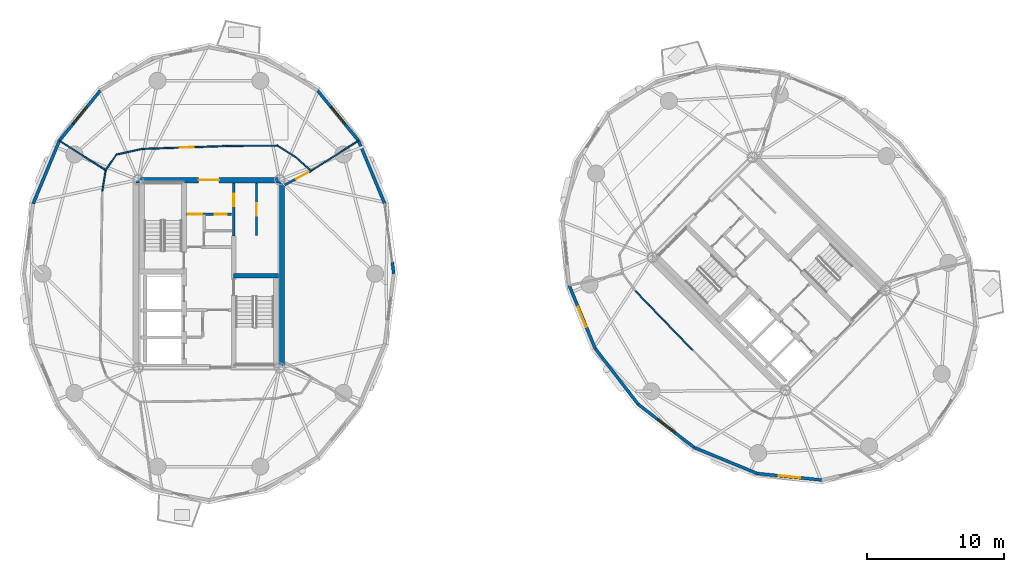
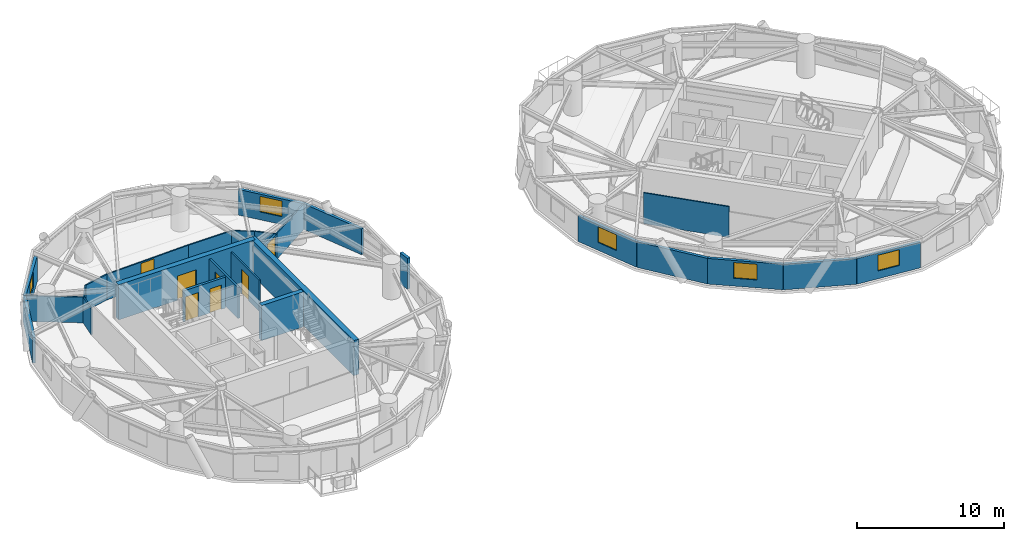
# One storey, part 9 of 15: 27 walls, 7 doors, 5 windows, 12 openings.
"""IFC4 building model written with IfcOpenShell, lengths in metres."""

from ifc_helpers import new_model, si_unit, direction, frame, frame_2d, origin, place, context, subcontext, project, spatial, rectangle, extrude, source, transform, mapped, material, layer, layer_set, type_object, element, fill, save


model = new_model("IFC4")

# Units and contexts
model_context = context("Model", 3, precision=1e-05, world=origin(), true_north=direction((0.0, 1.0)))
body_context = subcontext(model_context, "Body", "Model", "MODEL_VIEW")
ifc_project = project(units=[si_unit("LENGTHUNIT", "METRE"), si_unit("AREAUNIT", "SQUARE_METRE"), si_unit("VOLUMEUNIT", "CUBIC_METRE"), si_unit("PLANEANGLEUNIT", "RADIAN"), si_unit("MASSUNIT", "GRAM", prefix="KILO")], contexts=[model_context])

# Site, building, storey
site_placement = place(None, origin())
site = spatial("IfcSite", under=ifc_project, at=site_placement, CompositionType="ELEMENT")
building_placement = place(site_placement, origin())
building = spatial("IfcBuilding", under=site, at=building_placement, Name="Cununo Teusaquillo Station Towers", CompositionType="ELEMENT")
storey_placement = place(building_placement, frame((0.0, 0.0, 189.429931640625)))
storey = spatial("IfcBuildingStorey", under=building, at=storey_placement, Name="L60", CompositionType="ELEMENT", Elevation=189.429931640625)

# Walls
ifc_material_1 = material(Name="Concrete C50/60", Category="concrete")
ifc_layer_1 = layer(ifc_material_1, 0.35009765625)
ifc_layer_set_1 = layer_set([ifc_layer_1], Name="Concrete C50/60")
wall_type_1 = type_object("IfcWallType", Name="WL-CORE-350", PredefinedType="SHEAR", material=ifc_layer_set_1)
wall_1_placement = place(storey_placement, frame((18.31494140625, 24.344970703125, 0.0), z_axis=(0.0, 0.0, 1.0), x_axis=(1.0, 0.0, 0.0)))
element("IfcWall", 1, at=wall_1_placement, inside=storey, type_object=wall_type_1, Name="L60 Tower A Core Shear Wall ST2N", PredefinedType="SHEAR", context=body_context, shape_type="SweptSolid", body=[
    extrude(rectangle(XDim=3.28515625, YDim=0.35009765625, at=frame_2d((1.642578125, 0.0))), origin(), (0.0, 0.0, 1.0), 2.91015625),
])
ifc_material_2 = material(Name="Concrete C50/60", Category="concrete")
ifc_layer_2 = layer(ifc_material_2, 0.39990234375)
ifc_layer_set_2 = layer_set([ifc_layer_2], Name="Concrete C50/60")
wall_type_2 = type_object("IfcWallType", Name="WL-CORE-400", PredefinedType="SHEAR", material=ifc_layer_set_2)
wall_2_placement = place(storey_placement, frame((21.85009765625, 17.449951171875, 0.0), z_axis=(0.0, 0.0, 1.0), x_axis=(0.0, 1.0, 0.0)))
element("IfcWall", 2, at=wall_2_placement, inside=storey, type_object=wall_type_2, Name="L60 Tower A Core Shear Wall E", PredefinedType="SHEAR", context=body_context, shape_type="SweptSolid", body=[
    extrude(rectangle(XDim=14.10009765625, YDim=0.39990234375, at=frame_2d((7.050048828125, 0.0))), origin(), (0.0, 0.0, 1.0), 2.91015625),
])

# Wall, opening, door
wall_3_placement = place(storey_placement, frame((11.14990234375, 31.35009765625, 0.0), z_axis=(0.0, 0.0, 1.0), x_axis=(1.0, 0.0, 0.0)))
wall_3 = element("IfcWall", 3, at=wall_3_placement, inside=storey, type_object=wall_type_2, Name="L60 Tower A Core Shear Wall N", PredefinedType="SHEAR", context=body_context, shape_type="SweptSolid", body=[
    extrude(rectangle(XDim=10.7001953125, YDim=0.39990234375, at=frame_2d((5.35009765625, 0.0))), origin(), (0.0, 0.0, 1.0), 2.91015625),
])
shared_shape_1 = source(origin(), body_context, "Body", "SweptSolid", [
    extrude(rectangle(XDim=1.5, YDim=2.02001953125, at=frame_2d((0.75, 1.010009765625))), frame((0.0, 0.2099609375, 0.0), z_axis=(0.0, -1.0, 0.0), x_axis=(1.0, 0.0, 0.0)), (0.0, 0.0, 1.0), 0.419921875),
])
opening_1_placement = place(wall_3_placement, frame((4.60009765625, 0.0, 0.0)))
opening_1 = element("IfcOpeningElement", 4, at=opening_1_placement, cuts=wall_3, Name="Opening D-LB1", PredefinedType="OPENING", context=body_context, shape_type="MappedRepresentation", body=[
    mapped(shared_shape_1, transform((0.0, 0.0, 0.0), x_axis=(1.0, 0.0, 0.0), y_axis=(0.0, 1.0, 0.0), z_axis=(0.0, 0.0, 1.0), scale=1.0)),
])
ifc_material_3 = material(Name="Galvanised fire-rated hollow steel door assembly", Category="steel")
door_type_1 = type_object("IfcDoorType", Name="DR-LOBBY-1500", OperationType="DOUBLE_DOOR_SINGLE_SWING", PredefinedType="DOOR", material=ifc_material_3)
shared_shape_2 = source(origin(), body_context, "Body", "SweptSolid", [
    extrude(rectangle(XDim=1.5, YDim=2.02001953125, at=frame_2d((0.75, 1.010009765625))), frame((0.0, 0.02490234375, 0.0), z_axis=(0.0, -1.0, 0.0), x_axis=(1.0, 0.0, 0.0)), (0.0, 0.0, 1.0), 0.050048828125),
])
door_1_placement = place(opening_1_placement, origin())
door_1 = element("IfcDoor", 5, at=door_1_placement, inside=storey, type_object=door_type_1, Name="L60 Tower A North Core Lift Lobby Door", OperationType="DOUBLE_DOOR_SINGLE_SWING", OverallHeight=2.02001953125, OverallWidth=1.5, PredefinedType="DOOR", context=body_context, shape_type="MappedRepresentation", body=[
    mapped(shared_shape_2, transform((0.0, 0.0, 0.0), x_axis=(1.0, 0.0, 0.0), y_axis=(0.0, 1.0, 0.0), z_axis=(0.0, 0.0, 1.0), scale=1.0)),
])
fill(opening_1, door_1)

# Walls
ifc_material_4 = material(Name="Precast concrete C40/50", Category="concrete")
ifc_layer_3 = layer(ifc_material_4, 0.219970703125)
ifc_layer_set_3 = layer_set([ifc_layer_3], Name="Precast concrete C40/50")
wall_type_3 = type_object("IfcWallType", Name="WL-EXT-220", PredefinedType="SOLIDWALL", material=ifc_layer_set_3)
wall_4_placement = place(storey_placement, frame((29.91943359375, 25.36279296875, 0.0), z_axis=(0.0, 0.0, 1.0), x_axis=(0.128247365719, -0.991742211054, 0.0)))
element("IfcWall", 6, at=wall_4_placement, inside=storey, type_object=wall_type_3, Name="L60 Tower A Column Pier Cladding Wall C00-PB", PredefinedType="SOLIDWALL", context=body_context, shape_type="SweptSolid", body=[
    extrude(rectangle(XDim=0.869873046875, YDim=0.219970703125, at=frame_2d((0.43505859375, 0.0))), origin(), (0.0, 0.0, 1.0), 2.55517578125),
])
wall_5_placement = place(storey_placement, frame((27.44677734375, 34.239501953125, 0.0), z_axis=(0.0, 0.0, 1.0), x_axis=(0.384144094086, -0.923273152961, 0.0)))
element("IfcWall", 7, at=wall_5_placement, inside=storey, type_object=wall_type_3, Name="L60 Tower A Exterior Facade Wall C01", PredefinedType="SOLIDWALL", context=body_context, shape_type="SweptSolid", body=[
    extrude(rectangle(XDim=5.0029296875, YDim=0.219970703125, at=frame_2d((2.50146484375, 0.0))), origin(), (0.0, 0.0, 1.0), 2.125),
])

# Wall, opening, window
wall_6_placement = place(storey_placement, frame((24.453369140625, 37.905517578125, 0.0), z_axis=(0.0, 0.0, 1.0), x_axis=(0.632470615287, -0.774584353572, 0.0)))
wall_6 = element("IfcWall", 8, at=wall_6_placement, inside=storey, type_object=wall_type_3, Name="L60 Tower A Exterior Facade Wall C02", PredefinedType="SOLIDWALL", context=body_context, shape_type="SweptSolid", body=[
    extrude(rectangle(XDim=4.73291015625, YDim=0.219970703125, at=frame_2d((2.366455078125, 0.0))), origin(), (0.0, 0.0, 1.0), 2.125),
])
shared_shape_3 = source(origin(), body_context, "Body", "SweptSolid", [
    extrude(rectangle(XDim=1.60009765625, YDim=1.300048828125, at=frame_2d((0.800048828125, 0.64990234375))), frame((0.0, 0.119873046875, 0.0), z_axis=(0.0, -1.0, 0.0), x_axis=(1.0, 0.0, 0.0)), (0.0, 0.0, 1.0), 0.239990234375),
])
opening_2_placement = place(wall_6_placement, frame((1.56591796875, 0.0, 0.64990234375)))
opening_2 = element("IfcOpeningElement", 9, at=opening_2_placement, cuts=wall_6, Name="Opening WN-03", PredefinedType="OPENING", context=body_context, shape_type="MappedRepresentation", body=[
    mapped(shared_shape_3, transform((0.0, 0.0, 0.0), x_axis=(1.0, 0.0, 0.0), y_axis=(0.0, 1.0, 0.0), z_axis=(0.0, 0.0, 1.0), scale=1.0)),
])
ifc_material_5 = material(Name="Ceramic-fritted dark low-E double glazing", Category="glass")
window_type = type_object("IfcWindowType", Name="WIN-CORN-1600", PartitioningType="SINGLE_PANEL", PredefinedType="WINDOW", material=ifc_material_5)
shared_shape_4 = source(origin(), body_context, "Body", "SweptSolid", [
    extrude(rectangle(XDim=1.60009765625, YDim=1.300048828125, at=frame_2d((0.800048828125, 0.64990234375))), frame((0.0, 0.030029296875, 0.0), z_axis=(0.0, -1.0, 0.0), x_axis=(1.0, 0.0, 0.0)), (0.0, 0.0, 1.0), 0.06005859375),
])
window_1_placement = place(opening_2_placement, origin())
window_1 = element("IfcWindow", 10, at=window_1_placement, inside=storey, type_object=window_type, Name="L60 Tower A Facade Window C02", OverallHeight=1.300048828125, OverallWidth=1.60009765625, PartitioningType="SINGLE_PANEL", PredefinedType="WINDOW", context=body_context, shape_type="MappedRepresentation", body=[
    mapped(shared_shape_4, transform((0.0, 0.0, 0.0), x_axis=(1.0, 0.0, 0.0), y_axis=(0.0, 1.0, 0.0), z_axis=(0.0, 0.0, 1.0), scale=1.0)),
])
fill(opening_2, window_1)

wall_7_placement = place(storey_placement, frame((5.55322265625, 34.239501953125, 0.0), z_axis=(0.0, 0.0, 1.0), x_axis=(0.632470615287, 0.774584353572, 0.0)))
wall_7 = element("IfcWall", 11, at=wall_7_placement, inside=storey, type_object=wall_type_3, Name="L60 Tower A Exterior Facade Wall C07", PredefinedType="SOLIDWALL", context=body_context, shape_type="SweptSolid", body=[
    extrude(rectangle(XDim=4.73291015625, YDim=0.219970703125, at=frame_2d((2.366455078125, 0.0))), origin(), (0.0, 0.0, 1.0), 2.125),
])
opening_3_placement = place(wall_7_placement, frame((1.56591796875, 0.0, 0.64990234375)))
opening_3 = element("IfcOpeningElement", 12, at=opening_3_placement, cuts=wall_7, Name="Opening WN-03", PredefinedType="OPENING", context=body_context, shape_type="MappedRepresentation", body=[
    mapped(shared_shape_3, transform((0.0, 0.0, 0.0), x_axis=(1.0, 0.0, 0.0), y_axis=(0.0, 1.0, 0.0), z_axis=(0.0, 0.0, 1.0), scale=1.0)),
])
window_2_placement = place(opening_3_placement, origin())
window_2 = element("IfcWindow", 13, at=window_2_placement, inside=storey, type_object=window_type, Name="L60 Tower A Facade Window C07", OverallHeight=1.300048828125, OverallWidth=1.60009765625, PartitioningType="SINGLE_PANEL", PredefinedType="WINDOW", context=body_context, shape_type="MappedRepresentation", body=[
    mapped(shared_shape_4, transform((0.0, 0.0, 0.0), x_axis=(1.0, 0.0, 0.0), y_axis=(0.0, 1.0, 0.0), z_axis=(0.0, 0.0, 1.0), scale=1.0)),
])
fill(opening_3, window_2)

# Wall
wall_8_placement = place(storey_placement, frame((3.63134765625, 29.620361328125, 0.0), z_axis=(0.0, 0.0, 1.0), x_axis=(0.384144094086, 0.923273152961, 0.0)))
element("IfcWall", 14, at=wall_8_placement, inside=storey, type_object=wall_type_3, Name="L60 Tower A Exterior Facade Wall C08", PredefinedType="SOLIDWALL", context=body_context, shape_type="SweptSolid", body=[
    extrude(rectangle(XDim=5.0029296875, YDim=0.219970703125, at=frame_2d((2.50146484375, 0.0))), origin(), (0.0, 0.0, 1.0), 2.125),
])

# Wall, opening, window
wall_9_placement = place(storey_placement, frame((44.77978515625, 19.02099609375, 0.0), z_axis=(0.0, 0.0, 1.0), x_axis=(-0.381196434348, 0.924494066201, 0.0)))
wall_9 = element("IfcWall", 15, at=wall_9_placement, inside=storey, type_object=wall_type_3, Name="L60 Tower B Exterior Facade Wall C08", PredefinedType="SOLIDWALL", context=body_context, shape_type="SweptSolid", body=[
    extrude(rectangle(XDim=5.003173828125, YDim=0.219970703125, at=frame_2d((2.50146484375, 0.0))), origin(), (0.0, 0.0, 1.0), 2.125),
])
opening_4_placement = place(wall_9_placement, frame((1.701904296875, 0.0, 0.64990234375)))
opening_4 = element("IfcOpeningElement", 16, at=opening_4_placement, cuts=wall_9, Name="Opening WN-03", PredefinedType="OPENING", context=body_context, shape_type="MappedRepresentation", body=[
    mapped(shared_shape_3, transform((0.0, 0.0, 0.0), x_axis=(1.0, 0.0, 0.0), y_axis=(0.0, 1.0, 0.0), z_axis=(0.0, 0.0, 1.0), scale=1.0)),
])
window_3_placement = place(opening_4_placement, origin())
window_3 = element("IfcWindow", 17, at=window_3_placement, inside=storey, type_object=window_type, Name="L60 Tower B Facade Window C08", OverallHeight=1.300048828125, OverallWidth=1.60009765625, PartitioningType="SINGLE_PANEL", PredefinedType="WINDOW", context=body_context, shape_type="MappedRepresentation", body=[
    mapped(shared_shape_4, transform((0.0, 0.0, 0.0), x_axis=(1.0, 0.0, 0.0), y_axis=(0.0, 1.0, 0.0), z_axis=(0.0, 0.0, 1.0), scale=1.0)),
])
fill(opening_4, window_3)

# Wall
wall_10_placement = place(storey_placement, frame((47.93212890625, 14.93212890625, 0.0), z_axis=(0.0, 0.0, 1.0), x_axis=(-0.610569654715, 0.791962560189, 0.0)))
element("IfcWall", 18, at=wall_10_placement, inside=storey, type_object=wall_type_3, Name="L60 Tower B Exterior Facade Wall C09", PredefinedType="SOLIDWALL", context=body_context, shape_type="SweptSolid", body=[
    extrude(rectangle(XDim=5.162841796875, YDim=0.219970703125, at=frame_2d((2.58154296875, 0.0))), origin(), (0.0, 0.0, 1.0), 2.125),
])

# Wall, opening, window
wall_11_placement = place(storey_placement, frame((52.02099609375, 11.77978515625, 0.0), z_axis=(0.0, 0.0, 1.0), x_axis=(-0.791962560189, 0.610569654715, 0.0)))
wall_11 = element("IfcWall", 19, at=wall_11_placement, inside=storey, type_object=wall_type_3, Name="L60 Tower B Exterior Facade Wall C10", PredefinedType="SOLIDWALL", context=body_context, shape_type="SweptSolid", body=[
    extrude(rectangle(XDim=5.162841796875, YDim=0.219970703125, at=frame_2d((2.58154296875, 0.0))), origin(), (0.0, 0.0, 1.0), 2.125),
])
opening_5_placement = place(wall_11_placement, frame((1.781982421875, 0.0, 0.64990234375)))
opening_5 = element("IfcOpeningElement", 20, at=opening_5_placement, cuts=wall_11, Name="Opening WN-03", PredefinedType="OPENING", context=body_context, shape_type="MappedRepresentation", body=[
    mapped(shared_shape_3, transform((0.0, 0.0, 0.0), x_axis=(1.0, 0.0, 0.0), y_axis=(0.0, 1.0, 0.0), z_axis=(0.0, 0.0, 1.0), scale=1.0)),
])
window_4_placement = place(opening_5_placement, origin())
window_4 = element("IfcWindow", 21, at=window_4_placement, inside=storey, type_object=window_type, Name="L60 Tower B Facade Window C10", OverallHeight=1.300048828125, OverallWidth=1.60009765625, PartitioningType="SINGLE_PANEL", PredefinedType="WINDOW", context=body_context, shape_type="MappedRepresentation", body=[
    mapped(shared_shape_4, transform((0.0, 0.0, 0.0), x_axis=(1.0, 0.0, 0.0), y_axis=(0.0, 1.0, 0.0), z_axis=(0.0, 0.0, 1.0), scale=1.0)),
])
fill(opening_5, window_4)

# Wall
wall_12_placement = place(storey_placement, frame((56.646484375, 9.87255859375, 0.0), z_axis=(0.0, 0.0, 1.0), x_axis=(-0.924494066201, 0.381196434348, 0.0)))
element("IfcWall", 22, at=wall_12_placement, inside=storey, type_object=wall_type_3, Name="L60 Tower B Exterior Facade Wall C11", PredefinedType="SOLIDWALL", context=body_context, shape_type="SweptSolid", body=[
    extrude(rectangle(XDim=5.003173828125, YDim=0.219970703125, at=frame_2d((2.50146484375, 0.0))), origin(), (0.0, 0.0, 1.0), 2.125),
])

# Wall, opening, window
wall_13_placement = place(storey_placement, frame((61.355224609375, 9.397216796875, 0.0), z_axis=(0.0, 0.0, 1.0), x_axis=(-0.994943283129, 0.100438356004, 0.0)))
wall_13 = element("IfcWall", 23, at=wall_13_placement, inside=storey, type_object=wall_type_3, Name="L60 Tower B Exterior Facade Wall C12", PredefinedType="SOLIDWALL", context=body_context, shape_type="SweptSolid", body=[
    extrude(rectangle(XDim=4.732666015625, YDim=0.219970703125, at=frame_2d((2.3662109375, 0.0))), origin(), (0.0, 0.0, 1.0), 2.125),
])
opening_6_placement = place(wall_13_placement, frame((1.56591796875, 0.0, 0.64990234375)))
opening_6 = element("IfcOpeningElement", 24, at=opening_6_placement, cuts=wall_13, Name="Opening WN-03", PredefinedType="OPENING", context=body_context, shape_type="MappedRepresentation", body=[
    mapped(shared_shape_3, transform((0.0, 0.0, 0.0), x_axis=(1.0, 0.0, 0.0), y_axis=(0.0, 1.0, 0.0), z_axis=(0.0, 0.0, 1.0), scale=1.0)),
])
window_5_placement = place(opening_6_placement, origin())
window_5 = element("IfcWindow", 25, at=window_5_placement, inside=storey, type_object=window_type, Name="L60 Tower B Facade Window C12", OverallHeight=1.300048828125, OverallWidth=1.60009765625, PartitioningType="SINGLE_PANEL", PredefinedType="WINDOW", context=body_context, shape_type="MappedRepresentation", body=[
    mapped(shared_shape_4, transform((0.0, 0.0, 0.0), x_axis=(1.0, 0.0, 0.0), y_axis=(0.0, 1.0, 0.0), z_axis=(0.0, 0.0, 1.0), scale=1.0)),
])
fill(opening_6, window_5)

# Walls
ifc_material_6 = material(Name="Fire-rated gypsum plasterboard partition assembly", Category="gypsum")
ifc_layer_4 = layer(ifc_material_6, 0.10009765625)
ifc_layer_set_4 = layer_set([ifc_layer_4], Name="Fire-rated gypsum plasterboard partition assembly")
wall_type_4 = type_object("IfcWallType", Name="WL-PART-100", PredefinedType="MOVABLE", material=ifc_layer_set_4)
wall_14_placement = place(storey_placement, frame((23.979736328125, 32.02685546875, 0.0), z_axis=(0.0, 0.0, 1.0), x_axis=(-0.742353224332, 0.670008724065, 0.0)))
element("IfcWall", 26, at=wall_14_placement, inside=storey, type_object=wall_type_4, Name="L60 Tower A Corridor Ring Wall C02", PredefinedType="MOVABLE", context=body_context, shape_type="SweptSolid", body=[
    extrude(rectangle(XDim=1.48486328125, YDim=0.10009765625, at=frame_2d((0.742431640625, 0.0))), origin(), (0.0, 0.0, 1.0), 2.125),
])
wall_15_placement = place(storey_placement, frame((22.87744140625, 33.021728515625, 0.0), z_axis=(0.0, 0.0, 1.0), x_axis=(-0.845895608855, 0.533348496689, 0.0)))
element("IfcWall", 27, at=wall_15_placement, inside=storey, type_object=wall_type_4, Name="L60 Tower A Corridor Ring Wall C03", PredefinedType="MOVABLE", context=body_context, shape_type="SweptSolid", body=[
    extrude(rectangle(XDim=1.5966796875, YDim=0.10009765625, at=frame_2d((0.79833984375, 0.0))), origin(), (0.0, 0.0, 1.0), 2.125),
])
wall_16_placement = place(storey_placement, frame((21.52685546875, 33.873291015625, 0.0), z_axis=(0.0, 0.0, 1.0), x_axis=(-0.999991838845, -0.004040079574, 0.0)))
element("IfcWall", 28, at=wall_16_placement, inside=storey, type_object=wall_type_4, Name="L60 Tower A Corridor Ring Wall C04", PredefinedType="MOVABLE", context=body_context, shape_type="SweptSolid", body=[
    extrude(rectangle(XDim=3.384033203125, YDim=0.10009765625, at=frame_2d((1.69189453125, 0.0))), origin(), (0.0, 0.0, 1.0), 2.125),
])

# Wall, opening, door
wall_17_placement = place(storey_placement, frame((18.142822265625, 33.859619140625, 0.0), z_axis=(0.0, 0.0, 1.0), x_axis=(-0.999419208319, -0.034077060363, 0.0)))
wall_17 = element("IfcWall", 29, at=wall_17_placement, inside=storey, type_object=wall_type_4, Name="L60 Tower A Corridor Ring Wall C05", PredefinedType="MOVABLE", context=body_context, shape_type="SweptSolid", body=[
    extrude(rectangle(XDim=6.52685546875, YDim=0.10009765625, at=frame_2d((3.263427734375, 0.0))), origin(), (0.0, 0.0, 1.0), 2.125),
])
shared_shape_5 = source(origin(), body_context, "Body", "SweptSolid", [
    extrude(rectangle(XDim=1.050048828125, YDim=2.014892578125, at=frame_2d((0.52490234375, 1.00732421875))), frame((0.0, 0.06005859375, 0.0), z_axis=(0.0, -1.0, 0.0), x_axis=(1.0, 0.0, 0.0)), (0.0, 0.0, 1.0), 0.1201171875),
])
opening_7_placement = place(wall_17_placement, frame((2.73828125, 0.0, 0.0)))
opening_7 = element("IfcOpeningElement", 30, at=opening_7_placement, cuts=wall_17, Name="Opening D-SU1", PredefinedType="OPENING", context=body_context, shape_type="MappedRepresentation", body=[
    mapped(shared_shape_5, transform((0.0, 0.0, 0.0), x_axis=(1.0, 0.0, 0.0), y_axis=(0.0, 1.0, 0.0), z_axis=(0.0, 0.0, 1.0), scale=1.0)),
])
ifc_material_7 = material(Name="Acoustic solid-core hardwood leaf assembly", Category="wood")
door_type_2 = type_object("IfcDoorType", Name="DR-SUITE-1050", OperationType="NOTDEFINED", PredefinedType="DOOR", material=ifc_material_7)
shared_shape_6 = source(origin(), body_context, "Body", "SweptSolid", [
    extrude(rectangle(XDim=1.050048828125, YDim=2.014892578125, at=frame_2d((0.52490234375, 1.00732421875))), frame((0.0, 0.02490234375, 0.0), z_axis=(0.0, -1.0, 0.0), x_axis=(1.0, 0.0, 0.0)), (0.0, 0.0, 1.0), 0.050048828125),
])
door_2_placement = place(opening_7_placement, origin())
door_2 = element("IfcDoor", 31, at=door_2_placement, inside=storey, type_object=door_type_2, Name="L60 Tower A Summit Banquet & Symposium Hall Entrance Door", OperationType="SINGLE_SWING_LEFT", OverallHeight=2.014892578125, OverallWidth=1.050048828125, PredefinedType="DOOR", context=body_context, shape_type="MappedRepresentation", body=[
    mapped(shared_shape_6, transform((0.0, 0.0, 0.0), x_axis=(1.0, 0.0, 0.0), y_axis=(0.0, 1.0, 0.0), z_axis=(0.0, 0.0, 1.0), scale=1.0)),
])
fill(opening_7, door_2)

# Walls
wall_18_placement = place(storey_placement, frame((11.619873046875, 33.63720703125, 0.0), z_axis=(0.0, 0.0, 1.0), x_axis=(-0.97702579435, -0.213121085711, 0.0)))
element("IfcWall", 32, at=wall_18_placement, inside=storey, type_object=wall_type_4, Name="L60 Tower A Corridor Ring Wall C06", PredefinedType="MOVABLE", context=body_context, shape_type="SweptSolid", body=[
    extrude(rectangle(XDim=1.934814453125, YDim=0.10009765625, at=frame_2d((0.96728515625, 0.0))), origin(), (0.0, 0.0, 1.0), 2.125),
])
wall_19_placement = place(storey_placement, frame((9.7294921875, 33.224853515625, 0.0), z_axis=(0.0, 0.0, 1.0), x_axis=(-0.567183649484, -0.82359134755, 0.0)))
element("IfcWall", 33, at=wall_19_placement, inside=storey, type_object=wall_type_4, Name="L60 Tower A Corridor Ring Wall C07", PredefinedType="MOVABLE", context=body_context, shape_type="SweptSolid", body=[
    extrude(rectangle(XDim=1.39208984375, YDim=0.10009765625, at=frame_2d((0.696044921875, 0.0))), origin(), (0.0, 0.0, 1.0), 2.125),
])
wall_20_placement = place(storey_placement, frame((8.93994140625, 32.078369140625, 0.0), z_axis=(0.0, 0.0, 1.0), x_axis=(-0.159148467753, -0.98725466077, 0.0)))
element("IfcWall", 34, at=wall_20_placement, inside=storey, type_object=wall_type_4, Name="L60 Tower A Corridor Ring Wall C08", PredefinedType="MOVABLE", context=body_context, shape_type="SweptSolid", body=[
    extrude(rectangle(XDim=1.553955078125, YDim=0.10009765625, at=frame_2d((0.77685546875, 0.0))), origin(), (0.0, 0.0, 1.0), 2.125),
])
wall_21_placement = place(storey_placement, frame((23.979736328125, 32.02685546875, 0.0), z_axis=(0.0, 0.0, 1.0), x_axis=(0.843120722145, 0.53772432332, 0.0)))
element("IfcWall", 35, at=wall_21_placement, inside=storey, type_object=wall_type_4, Name="L60 Tower A Radial Suite Partition R01", PredefinedType="MOVABLE", context=body_context, shape_type="SweptSolid", body=[
    extrude(rectangle(XDim=4.093017578125, YDim=0.10009765625, at=frame_2d((2.04638671875, 0.0))), origin(), (0.0, 0.0, 1.0), 2.125),
])
wall_22_placement = place(storey_placement, frame((8.93994140625, 32.078369140625, 0.0), z_axis=(0.0, 0.0, 1.0), x_axis=(-0.843153138911, 0.53767349232, 0.0)))
element("IfcWall", 36, at=wall_22_placement, inside=storey, type_object=wall_type_4, Name="L60 Tower A Radial Suite Partition R02", PredefinedType="MOVABLE", context=body_context, shape_type="SweptSolid", body=[
    extrude(rectangle(XDim=3.99755859375, YDim=0.10009765625, at=frame_2d((1.998779296875, 0.0))), origin(), (0.0, 0.0, 1.0), 2.125),
])
wall_23_placement = place(storey_placement, frame((47.70556640625, 23.253173828125, 0.0), z_axis=(0.0, 0.0, 1.0), x_axis=(0.696179266346, -0.717867974707, 0.0)))
element("IfcWall", 37, at=wall_23_placement, inside=storey, type_object=wall_type_4, Name="L60 Tower B Corridor Ring Wall C09", PredefinedType="MOVABLE", context=body_context, shape_type="SweptSolid", body=[
    extrude(rectangle(XDim=6.044677734375, YDim=0.10009765625, at=frame_2d((3.0224609375, 0.0))), origin(), (0.0, 0.0, 1.0), 2.55517578125),
])

# Wall, opening, door
ifc_material_8 = material(Name="Fire-rated gypsum plasterboard partition assembly", Category="gypsum")
ifc_layer_5 = layer(ifc_material_8, 0.125)
ifc_layer_set_5 = layer_set([ifc_layer_5], Name="Fire-rated gypsum plasterboard partition assembly")
wall_type_5 = type_object("IfcWallType", Name="WL-PART-125", PredefinedType="PARTITIONING", material=ifc_layer_set_5)
wall_24_placement = place(storey_placement, frame((19.97998046875, 27.300048828125, 0.0), z_axis=(0.0, 0.0, 1.0), x_axis=(0.0, 1.0, 0.0)))
wall_24 = element("IfcWall", 38, at=wall_24_placement, inside=storey, type_object=wall_type_5, Name="L60 Tower A Reclaimed Bay Vertical Split Wall", PredefinedType="PARTITIONING", context=body_context, shape_type="SweptSolid", body=[
    extrude(rectangle(XDim=3.820068359375, YDim=0.125, at=frame_2d((1.91015625, 0.0))), origin(), (0.0, 0.0, 1.0), 2.55517578125),
])
shared_shape_7 = source(origin(), body_context, "Body", "SweptSolid", [
    extrude(rectangle(XDim=0.89990234375, YDim=2.0048828125, at=frame_2d((0.449951171875, 1.00244140625))), frame((0.0, 0.072509765625, 0.0), z_axis=(0.0, -1.0, 0.0), x_axis=(1.0, 0.0, 0.0)), (0.0, 0.0, 1.0), 0.14501953125),
])
opening_8_placement = place(wall_24_placement, frame((1.449951171875, 0.0, 0.0)))
opening_8 = element("IfcOpeningElement", 39, at=opening_8_placement, cuts=wall_24, Name="Opening D-IN1", PredefinedType="OPENING", context=body_context, shape_type="MappedRepresentation", body=[
    mapped(shared_shape_7, transform((0.0, 0.0, 0.0), x_axis=(1.0, 0.0, 0.0), y_axis=(0.0, 1.0, 0.0), z_axis=(0.0, 0.0, 1.0), scale=1.0)),
])
ifc_material_9 = material(Name="Acoustic solid-core hardwood leaf assembly", Category="wood")
door_type_3 = type_object("IfcDoorType", Name="DR-INT-900", OperationType="NOTDEFINED", PredefinedType="DOOR", material=ifc_material_9)
shared_shape_8 = source(origin(), body_context, "Body", "SweptSolid", [
    extrude(rectangle(XDim=0.89990234375, YDim=2.0048828125, at=frame_2d((0.449951171875, 1.00244140625))), frame((0.0, 0.02490234375, 0.0), z_axis=(0.0, -1.0, 0.0), x_axis=(1.0, 0.0, 0.0)), (0.0, 0.0, 1.0), 0.050048828125),
])
door_3_placement = place(opening_8_placement, origin())
door_3 = element("IfcDoor", 40, at=door_3_placement, inside=storey, type_object=door_type_3, Name="L60 Tower A Reclaimed Acoustic Booth Door", OperationType="SINGLE_SWING_RIGHT", OverallHeight=2.0048828125, OverallWidth=0.89990234375, PredefinedType="DOOR", context=body_context, shape_type="MappedRepresentation", body=[
    mapped(shared_shape_8, transform((0.0, 0.0, 0.0), x_axis=(1.0, 0.0, 0.0), y_axis=(0.0, 1.0, 0.0), z_axis=(0.0, 0.0, 1.0), scale=1.0)),
])
fill(opening_8, door_3)

ifc_material_10 = material(Name="Fire-rated gypsum plasterboard partition assembly", Category="gypsum")
ifc_layer_6 = layer(ifc_material_10, 0.159912109375)
ifc_layer_set_6 = layer_set([ifc_layer_6], Name="Fire-rated gypsum plasterboard partition assembly")
wall_type_6 = type_object("IfcWallType", Name="WL-PART-160", PredefinedType="PARTITIONING", material=ifc_layer_set_6)
wall_25_placement = place(storey_placement, frame((18.31494140625, 27.25, 0.0), z_axis=(0.0, 0.0, 1.0), x_axis=(0.0, 1.0, 0.0)))
wall_25 = element("IfcWall", 41, at=wall_25_placement, inside=storey, type_object=wall_type_6, Name="L60 Tower A Reclaimed Core Bay Entry Wall", PredefinedType="PARTITIONING", context=body_context, shape_type="SweptSolid", body=[
    extrude(rectangle(XDim=3.89990234375, YDim=0.159912109375, at=frame_2d((1.949951171875, 0.0))), origin(), (0.0, 0.0, 1.0), 2.55517578125),
])
shared_shape_9 = source(origin(), body_context, "Body", "SweptSolid", [
    extrude(rectangle(XDim=0.89990234375, YDim=2.0048828125, at=frame_2d((0.449951171875, 1.00244140625))), frame((0.0, 0.08984375, 0.0), z_axis=(0.0, -1.0, 0.0), x_axis=(1.0, 0.0, 0.0)), (0.0, 0.0, 1.0), 0.179931640625),
])
opening_9_placement = place(wall_25_placement, frame((2.199951171875, 0.0, 0.0)))
opening_9 = element("IfcOpeningElement", 42, at=opening_9_placement, cuts=wall_25, Name="Opening D-IN1", PredefinedType="OPENING", context=body_context, shape_type="MappedRepresentation", body=[
    mapped(shared_shape_9, transform((0.0, 0.0, 0.0), x_axis=(1.0, 0.0, 0.0), y_axis=(0.0, 1.0, 0.0), z_axis=(0.0, 0.0, 1.0), scale=1.0)),
])
door_4_placement = place(opening_9_placement, origin())
door_4 = element("IfcDoor", 43, at=door_4_placement, inside=storey, type_object=door_type_3, Name="L60 Tower A Reclaimed Meeting Room Door", OperationType="SINGLE_SWING_LEFT", OverallHeight=2.0048828125, OverallWidth=0.89990234375, PredefinedType="DOOR", context=body_context, shape_type="MappedRepresentation", body=[
    mapped(shared_shape_8, transform((0.0, 0.0, 0.0), x_axis=(1.0, 0.0, 0.0), y_axis=(0.0, 1.0, 0.0), z_axis=(0.0, 0.0, 1.0), scale=1.0)),
])
fill(opening_9, door_4)

wall_26_placement = place(storey_placement, frame((22.050048828125, 31.0, 0.0), z_axis=(0.0, 0.0, 1.0), x_axis=(0.882791584709, 0.469764853908, 0.0)))
wall_26 = element("IfcWall", 44, at=wall_26_placement, inside=storey, type_object=wall_type_6, Name="L60 Tower A East Salon Corridor Portal Wall NE", PredefinedType="PARTITIONING", context=body_context, shape_type="SweptSolid", body=[
    extrude(rectangle(XDim=2.185791015625, YDim=0.159912109375, at=frame_2d((1.0927734375, 0.0))), origin(), (0.0, 0.0, 1.0), 2.125),
])
shared_shape_10 = source(origin(), body_context, "Body", "SweptSolid", [
    extrude(rectangle(XDim=1.050048828125, YDim=2.014892578125, at=frame_2d((0.52490234375, 1.00732421875))), frame((0.0, 0.08984375, 0.0), z_axis=(0.0, -1.0, 0.0), x_axis=(1.0, 0.0, 0.0)), (0.0, 0.0, 1.0), 0.179931640625),
])
opening_10_placement = place(wall_26_placement, frame((0.93603515625, 0.0, 0.0)))
opening_10 = element("IfcOpeningElement", 45, at=opening_10_placement, cuts=wall_26, Name="Opening D-SU1", PredefinedType="OPENING", context=body_context, shape_type="MappedRepresentation", body=[
    mapped(shared_shape_10, transform((0.0, 0.0, 0.0), x_axis=(1.0, 0.0, 0.0), y_axis=(0.0, 1.0, 0.0), z_axis=(0.0, 0.0, 1.0), scale=1.0)),
])
door_5_placement = place(opening_10_placement, origin())
door_5 = element("IfcDoor", 46, at=door_5_placement, inside=storey, type_object=door_type_2, Name="L60 Tower A East Panorama Sky Salon Door NE", OperationType="SINGLE_SWING_LEFT", OverallHeight=2.014892578125, OverallWidth=1.050048828125, PredefinedType="DOOR", context=body_context, shape_type="MappedRepresentation", body=[
    mapped(shared_shape_6, transform((0.0, 0.0, 0.0), x_axis=(1.0, 0.0, 0.0), y_axis=(0.0, 1.0, 0.0), z_axis=(0.0, 0.0, 1.0), scale=1.0)),
])
fill(opening_10, door_5)

# Wall, openings, doors
ifc_material_11 = material(Name="Fire-rated gypsum plasterboard partition assembly", Category="gypsum")
ifc_layer_7 = layer(ifc_material_11, 0.199951171875)
ifc_layer_set_7 = layer_set([ifc_layer_7], Name="Fire-rated gypsum plasterboard partition assembly")
wall_type_7 = type_object("IfcWallType", Name="WL-PART-200", PredefinedType="PARTITIONING", material=ifc_layer_set_7)
wall_27_placement = place(storey_placement, frame((14.860107421875, 28.85009765625, 0.0), z_axis=(0.0, 0.0, 1.0), x_axis=(1.0, 0.0, 0.0)))
wall_27 = element("IfcWall", 47, at=wall_27_placement, inside=storey, type_object=wall_type_7, Name="L60 Tower A North Lift Lobby South Fire Wall", PredefinedType="PARTITIONING", context=body_context, shape_type="SweptSolid", body=[
    extrude(rectangle(XDim=3.27978515625, YDim=0.199951171875, at=frame_2d((1.639892578125, 0.0))), origin(), (0.0, 0.0, 1.0), 2.55517578125),
])
shared_shape_11 = source(origin(), body_context, "Body", "SweptSolid", [
    extrude(rectangle(XDim=1.0, YDim=2.014892578125, at=frame_2d((0.5, 1.00732421875))), frame((0.0, 0.10986328125, 0.0), z_axis=(0.0, -1.0, 0.0), x_axis=(1.0, 0.0, 0.0)), (0.0, 0.0, 1.0), 0.219970703125),
])
opening_11_placement = place(wall_27_placement, frame((0.139892578125, 0.0, 0.0)))
opening_11 = element("IfcOpeningElement", 48, at=opening_11_placement, cuts=wall_27, Name="Opening D-AC1", PredefinedType="OPENING", context=body_context, shape_type="MappedRepresentation", body=[
    mapped(shared_shape_11, transform((0.0, 0.0, 0.0), x_axis=(1.0, 0.0, 0.0), y_axis=(0.0, 1.0, 0.0), z_axis=(0.0, 0.0, 1.0), scale=1.0)),
])
shared_shape_12 = source(origin(), body_context, "Body", "SweptSolid", [
    extrude(rectangle(XDim=0.89990234375, YDim=2.0048828125, at=frame_2d((0.449951171875, 1.00244140625))), frame((0.0, 0.10986328125, 0.0), z_axis=(0.0, -1.0, 0.0), x_axis=(1.0, 0.0, 0.0)), (0.0, 0.0, 1.0), 0.219970703125),
])
opening_12_placement = place(wall_27_placement, frame((2.050048828125, 0.0, 0.0)))
opening_12 = element("IfcOpeningElement", 49, at=opening_12_placement, cuts=wall_27, Name="Opening D-SR1", PredefinedType="OPENING", context=body_context, shape_type="MappedRepresentation", body=[
    mapped(shared_shape_12, transform((0.0, 0.0, 0.0), x_axis=(1.0, 0.0, 0.0), y_axis=(0.0, 1.0, 0.0), z_axis=(0.0, 0.0, 1.0), scale=1.0)),
])
ifc_material_12 = material(Name="Galvanised fire-rated hollow steel door assembly", Category="steel")
door_type_4 = type_object("IfcDoorType", Name="DR-STORE-900", OperationType="NOTDEFINED", PredefinedType="DOOR", material=ifc_material_12)
door_6_placement = place(opening_12_placement, origin())
door_6 = element("IfcDoor", 50, at=door_6_placement, inside=storey, type_object=door_type_4, Name="L60 Tower A Core Comms Room Door", OperationType="SINGLE_SWING_RIGHT", OverallHeight=2.0048828125, OverallWidth=0.89990234375, PredefinedType="DOOR", context=body_context, shape_type="MappedRepresentation", body=[
    mapped(shared_shape_8, transform((0.0, 0.0, 0.0), x_axis=(1.0, 0.0, 0.0), y_axis=(0.0, 1.0, 0.0), z_axis=(0.0, 0.0, 1.0), scale=1.0)),
])
fill(opening_12, door_6)
ifc_material_13 = material(Name="Acoustic solid-core hardwood leaf assembly", Category="wood")
door_type_5 = type_object("IfcDoorType", Name="DR-ACC-1000", OperationType="NOTDEFINED", PredefinedType="DOOR", material=ifc_material_13)
shared_shape_13 = source(origin(), body_context, "Body", "SweptSolid", [
    extrude(rectangle(XDim=1.0, YDim=2.014892578125, at=frame_2d((0.5, 1.00732421875))), frame((0.0, 0.02490234375, 0.0), z_axis=(0.0, -1.0, 0.0), x_axis=(1.0, 0.0, 0.0)), (0.0, 0.0, 1.0), 0.050048828125),
])
door_7_placement = place(opening_11_placement, origin())
door_7 = element("IfcDoor", 51, at=door_7_placement, inside=storey, type_object=door_type_5, Name="L60 Tower A North Lift Lobby to Stair 1 Vestibule Door", OperationType="SINGLE_SWING_LEFT", OverallHeight=2.014892578125, OverallWidth=1.0, PredefinedType="DOOR", context=body_context, shape_type="MappedRepresentation", body=[
    mapped(shared_shape_13, transform((0.0, 0.0, 0.0), x_axis=(1.0, 0.0, 0.0), y_axis=(0.0, 1.0, 0.0), z_axis=(0.0, 0.0, 1.0), scale=1.0)),
])
fill(opening_11, door_7)

save(model, "model.ifc")
